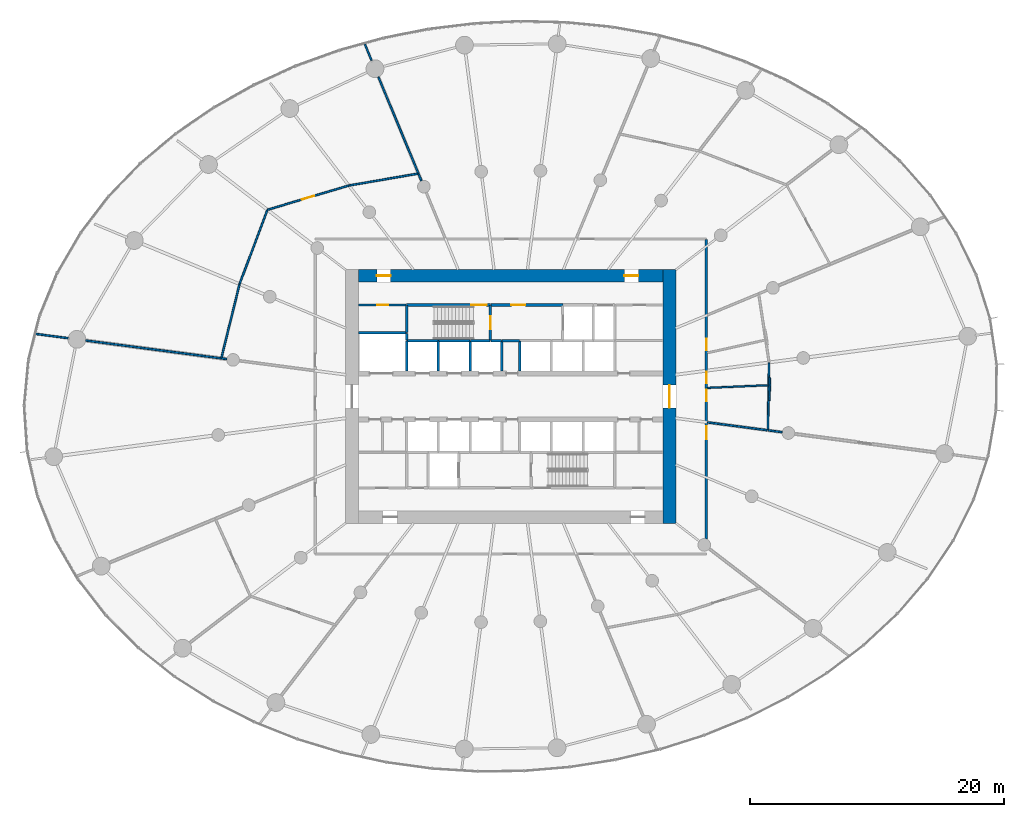
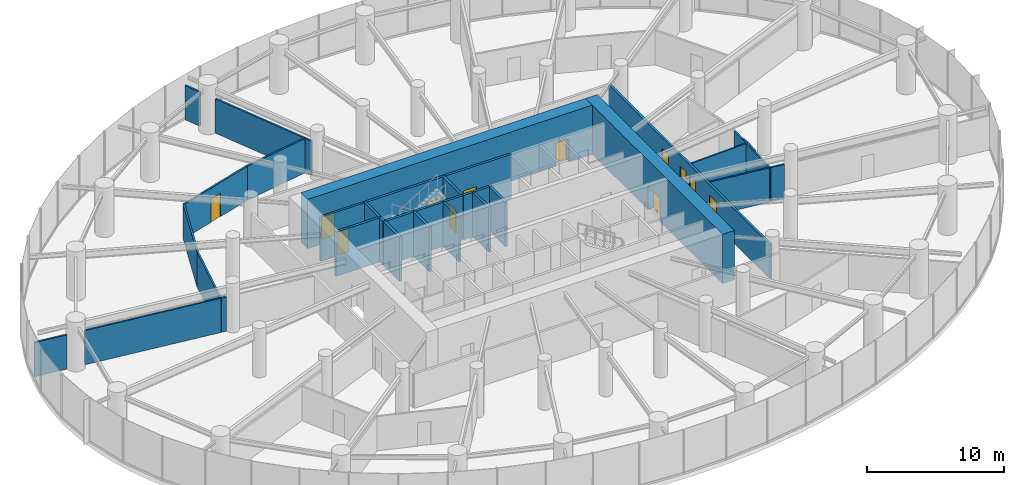
# One storey, part 14 of 19: 36 walls, 12 doors, 12 openings.
"""IFC4 building model written with IfcOpenShell, lengths in metres."""

from ifc_helpers import new_model, si_unit, direction, frame, frame_2d, origin, place, context, subcontext, project, spatial, rectangle, extrude, source, transform, mapped, material, layer, layer_set, type_object, element, fill, save


model = new_model("IFC4")

# Units and contexts
model_context = context("Model", 3, precision=1e-05, world=origin(), true_north=direction((0.0, 1.0)))
body_context = subcontext(model_context, "Body", "Model", "MODEL_VIEW")
ifc_project = project(units=[si_unit("LENGTHUNIT", "METRE"), si_unit("AREAUNIT", "SQUARE_METRE"), si_unit("VOLUMEUNIT", "CUBIC_METRE"), si_unit("PLANEANGLEUNIT", "RADIAN"), si_unit("MASSUNIT", "GRAM", prefix="KILO")], contexts=[model_context])

# Site, building, storey
site_placement = place(None, origin())
site = spatial("IfcSite", under=ifc_project, at=site_placement, CompositionType="ELEMENT")
building_placement = place(site_placement, origin())
building = spatial("IfcBuilding", under=site, at=building_placement, Name="Spindrift Exchange Tower", CompositionType="ELEMENT")
storey_placement = place(building_placement, frame((0.0, 0.0, 31.39990234375)))
storey = spatial("IfcBuildingStorey", under=building, at=storey_placement, Name="L07", CompositionType="ELEMENT", Elevation=31.39990234375)

# Wall, opening, door
ifc_material_1 = material(Name="Concrete 80 MPa", Category="concrete")
ifc_layer_1 = layer(ifc_material_1, 1.0)
ifc_layer_set_1 = layer_set([ifc_layer_1], Name="RC Core Wall 1000 Concrete 80 MPa")
wall_type_1 = type_object("IfcWallType", Name="RC Core Wall 1000 Concrete 80 MPa", PredefinedType="SHEAR", material=ifc_layer_set_1)
wall_1_placement = place(storey_placement, frame((64.5, 38.0, 0.0), z_axis=(0.0, 0.0, 1.0), x_axis=(0.0, 1.0, 0.0)))
wall_1 = element("IfcWall", 1, at=wall_1_placement, inside=storey, type_object=wall_type_1, Name="Core wall E L07", PredefinedType="SHEAR", context=body_context, shape_type="SweptSolid", body=[
    extrude(rectangle(XDim=20.0, YDim=1.0, at=frame_2d((10.0, 0.0))), origin(), (0.0, 0.0, 1.0), 4.400146484375),
])
opening_1_placement = place(wall_1_placement, frame((9.10009765625, 0.0, 0.0)))
opening_1 = element("IfcOpeningElement", 2, at=opening_1_placement, cuts=wall_1, Name="Opening L07-D2", PredefinedType="OPENING", context=body_context, shape_type="SweptSolid", body=[
    extrude(rectangle(XDim=1.800048828125, YDim=2.10009765625, at=frame_2d((0.89990234375, 1.050048828125))), frame((0.0, 0.510009765625, 0.0), z_axis=(0.0, -1.0, 0.0), x_axis=(1.0, 0.0, 0.0)), (0.0, 0.0, 1.0), 1.02001953125),
])
ifc_material_2 = material(Name="Timber-core fire door", Category="wood")
door_type_1 = type_object("IfcDoorType", Name="DR-LOBBY-1800", OperationType="NOTDEFINED", PredefinedType="DOOR", material=ifc_material_2)
shared_shape_1 = source(origin(), body_context, "Body", "SweptSolid", [
    extrude(rectangle(XDim=1.800048828125, YDim=2.10009765625, at=frame_2d((0.89990234375, 1.050048828125))), frame((0.0, 0.02490234375, 0.0), z_axis=(0.0, -1.0, 0.0), x_axis=(1.0, 0.0, 0.0)), (0.0, 0.0, 1.0), 0.050048828125),
])
door_1_placement = place(opening_1_placement, origin())
door_1 = element("IfcDoor", 3, at=door_1_placement, inside=storey, type_object=door_type_1, Name="L07 Lobby door 2", OperationType="SINGLE_SWING_RIGHT", OverallHeight=2.10009765625, OverallWidth=1.800048828125, PredefinedType="DOOR", context=body_context, shape_type="MappedRepresentation", body=[
    mapped(shared_shape_1, transform((0.0, 0.0, 0.0), scale=1.0)),
])
fill(opening_1, door_1)

# Wall, openings, doors
wall_2_placement = place(storey_placement, frame((64.0, 57.5, 0.0), z_axis=(0.0, 0.0, 1.0), x_axis=(-1.0, 0.0, 0.0)))
wall_2 = element("IfcWall", 4, at=wall_2_placement, inside=storey, type_object=wall_type_1, Name="Core wall N L07", PredefinedType="SHEAR", context=body_context, shape_type="SweptSolid", body=[
    extrude(rectangle(XDim=24.0, YDim=1.0, at=frame_2d((12.0, 0.0))), origin(), (0.0, 0.0, 1.0), 4.400146484375),
])
opening_2_placement = place(wall_2_placement, frame((21.449951171875, 0.0, 0.0)))
opening_2 = element("IfcOpeningElement", 5, at=opening_2_placement, cuts=wall_2, Name="Opening L07-D20", PredefinedType="OPENING", context=body_context, shape_type="SweptSolid", body=[
    extrude(rectangle(XDim=1.10009765625, YDim=2.10009765625, at=frame_2d((0.550048828125, 1.050048828125))), frame((0.0, 0.510009765625, 0.0), z_axis=(0.0, -1.0, 0.0), x_axis=(1.0, 0.0, 0.0)), (0.0, 0.0, 1.0), 1.02001953125),
])
opening_3_placement = place(wall_2_placement, frame((1.949951171875, 0.0, 0.0)))
opening_3 = element("IfcOpeningElement", 6, at=opening_3_placement, cuts=wall_2, Name="Opening L07-D21", PredefinedType="OPENING", context=body_context, shape_type="SweptSolid", body=[
    extrude(rectangle(XDim=1.10009765625, YDim=2.10009765625, at=frame_2d((0.550048828125, 1.050048828125))), frame((0.0, 0.510009765625, 0.0), z_axis=(0.0, -1.0, 0.0), x_axis=(1.0, 0.0, 0.0)), (0.0, 0.0, 1.0), 1.02001953125),
])
ifc_material_3 = material(Name="Steel fire door", Category="steel")
door_type_2 = type_object("IfcDoorType", Name="DR-STAIR-1100", OperationType="NOTDEFINED", PredefinedType="DOOR", material=ifc_material_3)
shared_shape_2 = source(origin(), body_context, "Body", "SweptSolid", [
    extrude(rectangle(XDim=1.10009765625, YDim=2.10009765625, at=frame_2d((0.550048828125, 1.050048828125))), frame((0.0, 0.02490234375, 0.0), z_axis=(0.0, -1.0, 0.0), x_axis=(1.0, 0.0, 0.0)), (0.0, 0.0, 1.0), 0.050048828125),
])
door_2_placement = place(opening_2_placement, origin())
door_2 = element("IfcDoor", 7, at=door_2_placement, inside=storey, type_object=door_type_2, Name="L07 Stair door 20", OperationType="SINGLE_SWING_RIGHT", OverallHeight=2.10009765625, OverallWidth=1.10009765625, PredefinedType="DOOR", context=body_context, shape_type="MappedRepresentation", body=[
    mapped(shared_shape_2, transform((0.0, 0.0, 0.0), scale=1.0)),
])
fill(opening_2, door_2)
door_3_placement = place(opening_3_placement, origin())
door_3 = element("IfcDoor", 8, at=door_3_placement, inside=storey, type_object=door_type_2, Name="L07 Stair door 21", OperationType="SINGLE_SWING_LEFT", OverallHeight=2.10009765625, OverallWidth=1.10009765625, PredefinedType="DOOR", context=body_context, shape_type="MappedRepresentation", body=[
    mapped(shared_shape_2, transform((0.0, 0.0, 0.0), scale=1.0)),
])
fill(opening_3, door_3)

# Wall, opening, door
ifc_material_4 = material(Name="Fire-rated plasterboard partition", Category="gypsum")
ifc_layer_2 = layer(ifc_material_4, 0.179931640625)
ifc_layer_set_2 = layer_set([ifc_layer_2], Name="W-CORR-180")
wall_type_2 = type_object("IfcWallType", Name="W-CORR-180", PredefinedType="PARTITIONING", material=ifc_layer_set_2)
wall_3_placement = place(storey_placement, frame((43.77001953125, 55.199951171875, 0.0), z_axis=(0.0, 0.0, 1.0), x_axis=(-1.0, 0.0, 0.0)))
wall_3 = element("IfcWall", 9, at=wall_3_placement, inside=storey, type_object=wall_type_2, Name="L07 Partition wall 62", PredefinedType="PARTITIONING", context=body_context, shape_type="SweptSolid", body=[
    extrude(rectangle(XDim=3.75, YDim=0.179931640625, at=frame_2d((1.875, 0.0))), origin(), (0.0, 0.0, 1.0), 3.9501953125),
])
opening_4_placement = place(wall_3_placement, frame((1.39990234375, 0.0, 0.0)))
opening_4 = element("IfcOpeningElement", 10, at=opening_4_placement, cuts=wall_3, Name="Opening L07-D43", PredefinedType="OPENING", context=body_context, shape_type="SweptSolid", body=[
    extrude(rectangle(XDim=0.89990234375, YDim=2.10009765625, at=frame_2d((0.449951171875, 1.050048828125))), frame((0.0, 0.099853515625, 0.0), z_axis=(0.0, -1.0, 0.0), x_axis=(1.0, 0.0, 0.0)), (0.0, 0.0, 1.0), 0.199951171875),
])
ifc_material_5 = material(Name="Steel access door", Category="steel")
door_type_3 = type_object("IfcDoorType", Name="DR-RISER-900", OperationType="NOTDEFINED", PredefinedType="DOOR", material=ifc_material_5)
shared_shape_3 = source(origin(), body_context, "Body", "SweptSolid", [
    extrude(rectangle(XDim=0.89990234375, YDim=2.10009765625, at=frame_2d((0.449951171875, 1.050048828125))), frame((0.0, 0.02490234375, 0.0), z_axis=(0.0, -1.0, 0.0), x_axis=(1.0, 0.0, 0.0)), (0.0, 0.0, 1.0), 0.050048828125),
])
door_4_placement = place(opening_4_placement, origin())
door_4 = element("IfcDoor", 11, at=door_4_placement, inside=storey, type_object=door_type_3, Name="L07 Riser door 43", OperationType="SINGLE_SWING_LEFT", OverallHeight=2.10009765625, OverallWidth=0.89990234375, PredefinedType="DOOR", context=body_context, shape_type="MappedRepresentation", body=[
    mapped(shared_shape_3, transform((0.0, 0.0, 0.0), scale=1.0)),
])
fill(opening_4, door_4)

# Walls
ifc_layer_3 = layer(ifc_material_4, 0.139892578125)
ifc_layer_set_3 = layer_set([ifc_layer_3], Name="W-PART-140")
wall_type_3 = type_object("IfcWallType", Name="W-PART-140", PredefinedType="PARTITIONING", material=ifc_layer_set_3)
wall_4_placement = place(storey_placement, frame((29.2109375, 51.000244140625, 0.0), z_axis=(0.0, 0.0, 1.0), x_axis=(-0.991444412939, 0.130529598373, 0.0)))
element("IfcWall", 12, at=wall_4_placement, inside=storey, type_object=wall_type_3, Name="L07 Partition wall 66", PredefinedType="PARTITIONING", context=body_context, shape_type="SweptSolid", body=[
    extrude(rectangle(XDim=10.765869140625, YDim=0.139892578125, at=frame_2d((5.3828125, 0.0))), origin(), (0.0, 0.0, 1.0), 3.050048828125),
])
wall_5_placement = place(storey_placement, frame((44.73095703125, 65.549072265625, 0.0), z_axis=(0.0, 0.0, 1.0), x_axis=(-0.382679959388, 0.923880971058, 0.0)))
element("IfcWall", 13, at=wall_5_placement, inside=storey, type_object=wall_type_3, Name="L07 Partition wall 68", PredefinedType="PARTITIONING", context=body_context, shape_type="SweptSolid", body=[
    extrude(rectangle(XDim=8.235107421875, YDim=0.139892578125, at=frame_2d((4.11767578125, 0.0))), origin(), (0.0, 0.0, 1.0), 3.050048828125),
])
wall_6_placement = place(storey_placement, frame((72.243896484375, 45.334716796875, 0.0), z_axis=(0.0, 0.0, 1.0), x_axis=(0.018055228484, 0.999836991076, 0.0)))
element("IfcWall", 14, at=wall_6_placement, inside=storey, type_object=wall_type_3, Name="L07 Partition wall 87", PredefinedType="PARTITIONING", context=body_context, shape_type="SweptSolid", body=[
    extrude(rectangle(XDim=5.314208984375, YDim=0.139892578125, at=frame_2d((2.6572265625, 0.0))), origin(), (0.0, 0.0, 1.0), 3.050048828125),
])
wall_7_placement = place(storey_placement, frame((67.489990234375, 45.960693359375, 0.0), z_axis=(0.0, 0.0, 1.0), x_axis=(0.991444091106, -0.130532042851, 0.0)))
element("IfcWall", 15, at=wall_7_placement, inside=storey, type_object=wall_type_3, Name="L07 Partition wall 91", PredefinedType="PARTITIONING", context=body_context, shape_type="SweptSolid", body=[
    extrude(rectangle(XDim=4.724609375, YDim=0.139892578125, at=frame_2d((2.3623046875, 0.0))), origin(), (0.0, 0.0, 1.0), 3.050048828125),
])
wall_8_placement = place(storey_placement, frame((17.140625, 52.58935546875, 0.0), z_axis=(0.0, 0.0, 1.0), x_axis=(-0.991441410766, 0.130552399509, 0.0)))
element("IfcWall", 16, at=wall_8_placement, inside=storey, type_object=wall_type_3, Name="L07 Partition wall 104", PredefinedType="PARTITIONING", context=body_context, shape_type="SweptSolid", body=[
    extrude(rectangle(XDim=2.58056640625, YDim=0.139892578125, at=frame_2d((1.290283203125, 0.0))), origin(), (0.0, 0.0, 1.0), 3.050048828125),
])
wall_9_placement = place(storey_placement, frame((41.039794921875, 74.4599609375, 0.0), z_axis=(0.0, 0.0, 1.0), x_axis=(-0.382579541027, 0.923922558869, 0.0)))
element("IfcWall", 17, at=wall_9_placement, inside=storey, type_object=wall_type_3, Name="L07 Partition wall 115", PredefinedType="PARTITIONING", context=body_context, shape_type="SweptSolid", body=[
    extrude(rectangle(XDim=1.388671875, YDim=0.139892578125, at=frame_2d((0.6943359375, 0.0))), origin(), (0.0, 0.0, 1.0), 3.050048828125),
])
wall_10_placement = place(storey_placement, frame((72.273681640625, 45.330810546875, 0.0), z_axis=(0.0, 0.0, 1.0), x_axis=(0.991457320466, -0.130431521092, 0.0)))
element("IfcWall", 18, at=wall_10_placement, inside=storey, type_object=wall_type_3, Name="L07 Partition wall 123", PredefinedType="PARTITIONING", context=body_context, shape_type="SweptSolid", body=[
    extrude(rectangle(XDim=1.0986328125, YDim=0.139892578125, at=frame_2d((0.54931640625, 0.0))), origin(), (0.0, 0.0, 1.0), 3.050048828125),
])

# Wall, opening, door
ifc_layer_4 = layer(ifc_material_4, 0.139892578125)
ifc_layer_set_4 = layer_set([ifc_layer_4], Name="W-PLANT-140")
wall_type_4 = type_object("IfcWallType", Name="W-PLANT-140", PredefinedType="PARTITIONING", material=ifc_layer_set_4)
wall_11_placement = place(storey_placement, frame((32.8447265625, 62.698486328125, 0.0), z_axis=(0.0, 0.0, 1.0), x_axis=(0.958354022352, 0.28558285635, 0.0)))
wall_11 = element("IfcWall", 19, at=wall_11_placement, inside=storey, type_object=wall_type_4, Name="L07 Partition wall 77", PredefinedType="PARTITIONING", context=body_context, shape_type="SweptSolid", body=[
    extrude(rectangle(XDim=6.689453125, YDim=0.139892578125, at=frame_2d((3.3447265625, 0.0))), origin(), (0.0, 0.0, 1.0), 3.050048828125),
])
opening_5_placement = place(wall_11_placement, frame((2.839599609375, 0.0, 0.0)))
opening_5 = element("IfcOpeningElement", 20, at=opening_5_placement, cuts=wall_11, Name="Opening L07-D34", PredefinedType="OPENING", context=body_context, shape_type="SweptSolid", body=[
    extrude(rectangle(XDim=1.0, YDim=2.10009765625, at=frame_2d((0.5, 1.050048828125))), frame((0.0, 0.079833984375, 0.0), z_axis=(0.0, -1.0, 0.0), x_axis=(1.0, 0.0, 0.0)), (0.0, 0.0, 1.0), 0.159912109375),
])
door_type_4 = type_object("IfcDoorType", Name="DR-ROOM-1000", OperationType="NOTDEFINED", PredefinedType="DOOR", material=ifc_material_2)
shared_shape_4 = source(origin(), body_context, "Body", "SweptSolid", [
    extrude(rectangle(XDim=1.0, YDim=2.10009765625, at=frame_2d((0.5, 1.050048828125))), frame((0.0, 0.02490234375, 0.0), z_axis=(0.0, -1.0, 0.0), x_axis=(1.0, 0.0, 0.0)), (0.0, 0.0, 1.0), 0.050048828125),
])
door_5_placement = place(opening_5_placement, origin())
door_5 = element("IfcDoor", 21, at=door_5_placement, inside=storey, type_object=door_type_4, Name="L07 Door 34", OperationType="SINGLE_SWING_RIGHT", OverallHeight=2.10009765625, OverallWidth=1.0, PredefinedType="DOOR", context=body_context, shape_type="MappedRepresentation", body=[
    mapped(shared_shape_4, transform((0.0, 0.0, 0.0), scale=1.0)),
])
fill(opening_5, door_5)

# Walls
wall_12_placement = place(storey_placement, frame((32.834228515625, 62.67041015625, 0.0), z_axis=(0.0, 0.0, 1.0), x_axis=(-0.351923028653, -0.936028942877, 0.0)))
element("IfcWall", 22, at=wall_12_placement, inside=storey, type_object=wall_type_4, Name="L07 Partition wall 79", PredefinedType="PARTITIONING", context=body_context, shape_type="SweptSolid", body=[
    extrude(rectangle(XDim=6.222900390625, YDim=0.139892578125, at=frame_2d((3.111328125, 0.0))), origin(), (0.0, 0.0, 1.0), 3.050048828125),
])
wall_13_placement = place(storey_placement, frame((30.63720703125, 56.816650390625, 0.0), z_axis=(0.0, 0.0, 1.0), x_axis=(-0.238166110231, -0.97122443541, 0.0)))
element("IfcWall", 23, at=wall_13_placement, inside=storey, type_object=wall_type_4, Name="L07 Partition wall 81", PredefinedType="PARTITIONING", context=body_context, shape_type="SweptSolid", body=[
    extrude(rectangle(XDim=5.958740234375, YDim=0.139892578125, at=frame_2d((2.9794921875, 0.0))), origin(), (0.0, 0.0, 1.0), 3.050048828125),
])
wall_14_placement = place(storey_placement, frame((44.66015625, 65.536865234375, 0.0), z_axis=(0.0, 0.0, 1.0), x_axis=(-0.985578769271, -0.169217285058, 0.0)))
element("IfcWall", 24, at=wall_14_placement, inside=storey, type_object=wall_type_4, Name="L07 Partition wall 85", PredefinedType="PARTITIONING", context=body_context, shape_type="SweptSolid", body=[
    extrude(rectangle(XDim=5.45361328125, YDim=0.139892578125, at=frame_2d((2.726806640625, 0.0))), origin(), (0.0, 0.0, 1.0), 3.050048828125),
])
wall_15_placement = place(storey_placement, frame((44.965087890625, 64.984130859375, 0.0), z_axis=(0.0, 0.0, 1.0), x_axis=(-0.382945109993, 0.923771098667, 0.0)))
element("IfcWall", 25, at=wall_15_placement, inside=storey, type_object=wall_type_4, Name="L07 Partition wall 125", PredefinedType="PARTITIONING", context=body_context, shape_type="SweptSolid", body=[
    extrude(rectangle(XDim=0.58154296875, YDim=0.139892578125, at=frame_2d((0.290771484375, 0.0))), origin(), (0.0, 0.0, 1.0), 3.050048828125),
])
wall_16_placement = place(storey_placement, frame((29.63671875, 50.944091796875, 0.0), z_axis=(0.0, 0.0, 1.0), x_axis=(-0.991418913515, 0.130723134622, 0.0)))
element("IfcWall", 26, at=wall_16_placement, inside=storey, type_object=wall_type_4, Name="L07 Partition wall 126", PredefinedType="PARTITIONING", context=body_context, shape_type="SweptSolid", body=[
    extrude(rectangle(XDim=0.399658203125, YDim=0.139892578125, at=frame_2d((0.19970703125, 0.0))), origin(), (0.0, 0.0, 1.0), 3.050048828125),
])

# Wall, openings, doors
ifc_layer_5 = layer(ifc_material_4, 0.179931640625)
ifc_layer_set_5 = layer_set([ifc_layer_5], Name="W-PLANT-180")
wall_type_5 = type_object("IfcWallType", Name="W-PLANT-180", PredefinedType="PARTITIONING", material=ifc_layer_set_5)
wall_17_placement = place(storey_placement, frame((67.39990234375, 60.3701171875, 0.0), z_axis=(0.0, 0.0, 1.0), x_axis=(0.0, -1.0, 0.0)))
wall_17 = element("IfcWall", 27, at=wall_17_placement, inside=storey, type_object=wall_type_5, Name="L07 Partition wall 59", PredefinedType="PARTITIONING", context=body_context, shape_type="SweptSolid", body=[
    extrude(rectangle(XDim=23.58251953125, YDim=0.179931640625, at=frame_2d((11.791259765625, 0.0))), origin(), (0.0, 0.0, 1.0), 3.050048828125),
])
opening_6_placement = place(wall_17_placement, frame((11.83251953125, 0.0, 0.0)))
opening_6 = element("IfcOpeningElement", 28, at=opening_6_placement, cuts=wall_17, Name="Opening L07-D24", PredefinedType="OPENING", context=body_context, shape_type="SweptSolid", body=[
    extrude(rectangle(XDim=0.89990234375, YDim=2.10009765625, at=frame_2d((0.449951171875, 1.050048828125))), frame((0.0, 0.099853515625, 0.0), z_axis=(0.0, -1.0, 0.0), x_axis=(1.0, 0.0, 0.0)), (0.0, 0.0, 1.0), 0.199951171875),
])
opening_7_placement = place(wall_17_placement, frame((10.4326171875, 0.0, 0.0)))
opening_7 = element("IfcOpeningElement", 29, at=opening_7_placement, cuts=wall_17, Name="Opening L07-D25", PredefinedType="OPENING", context=body_context, shape_type="SweptSolid", body=[
    extrude(rectangle(XDim=0.89990234375, YDim=2.10009765625, at=frame_2d((0.449951171875, 1.050048828125))), frame((0.0, 0.099853515625, 0.0), z_axis=(0.0, -1.0, 0.0), x_axis=(1.0, 0.0, 0.0)), (0.0, 0.0, 1.0), 0.199951171875),
])
opening_8_placement = place(wall_17_placement, frame((7.83251953125, 0.0, 0.0)))
opening_8 = element("IfcOpeningElement", 30, at=opening_8_placement, cuts=wall_17, Name="Opening L07-D26", PredefinedType="OPENING", context=body_context, shape_type="SweptSolid", body=[
    extrude(rectangle(XDim=0.89990234375, YDim=2.10009765625, at=frame_2d((0.449951171875, 1.050048828125))), frame((0.0, 0.099853515625, 0.0), z_axis=(0.0, -1.0, 0.0), x_axis=(1.0, 0.0, 0.0)), (0.0, 0.0, 1.0), 0.199951171875),
])
opening_9_placement = place(wall_17_placement, frame((14.732421875, 0.0, 0.0)))
opening_9 = element("IfcOpeningElement", 31, at=opening_9_placement, cuts=wall_17, Name="Opening L07-D42", PredefinedType="OPENING", context=body_context, shape_type="SweptSolid", body=[
    extrude(rectangle(XDim=1.0, YDim=2.10009765625, at=frame_2d((0.5, 1.050048828125))), frame((0.0, 0.099853515625, 0.0), z_axis=(0.0, -1.0, 0.0), x_axis=(1.0, 0.0, 0.0)), (0.0, 0.0, 1.0), 0.199951171875),
])
door_6_placement = place(opening_9_placement, origin())
door_6 = element("IfcDoor", 32, at=door_6_placement, inside=storey, type_object=door_type_4, Name="L07 Door 42", OperationType="SINGLE_SWING_RIGHT", OverallHeight=2.10009765625, OverallWidth=1.0, PredefinedType="DOOR", context=body_context, shape_type="MappedRepresentation", body=[
    mapped(shared_shape_4, transform((0.0, 0.0, 0.0), scale=1.0)),
])
fill(opening_9, door_6)
ifc_material_6 = material(Name="Laminate washroom door", Category="wood")
door_type_5 = type_object("IfcDoorType", Name="DR-WC-900", OperationType="NOTDEFINED", PredefinedType="DOOR", material=ifc_material_6)
shared_shape_5 = source(origin(), body_context, "Body", "SweptSolid", [
    extrude(rectangle(XDim=0.89990234375, YDim=2.10009765625, at=frame_2d((0.449951171875, 1.050048828125))), frame((0.0, 0.02490234375, 0.0), z_axis=(0.0, -1.0, 0.0), x_axis=(1.0, 0.0, 0.0)), (0.0, 0.0, 1.0), 0.050048828125),
])
door_7_placement = place(opening_6_placement, origin())
door_7 = element("IfcDoor", 33, at=door_7_placement, inside=storey, type_object=door_type_5, Name="L07 WC door 24", OperationType="SINGLE_SWING_RIGHT", OverallHeight=2.10009765625, OverallWidth=0.89990234375, PredefinedType="DOOR", context=body_context, shape_type="MappedRepresentation", body=[
    mapped(shared_shape_5, transform((0.0, 0.0, 0.0), scale=1.0)),
])
fill(opening_6, door_7)
door_8_placement = place(opening_7_placement, origin())
door_8 = element("IfcDoor", 34, at=door_8_placement, inside=storey, type_object=door_type_5, Name="L07 WC door 25", OperationType="SINGLE_SWING_LEFT", OverallHeight=2.10009765625, OverallWidth=0.89990234375, PredefinedType="DOOR", context=body_context, shape_type="MappedRepresentation", body=[
    mapped(shared_shape_5, transform((0.0, 0.0, 0.0), scale=1.0)),
])
fill(opening_7, door_8)
door_9_placement = place(opening_8_placement, origin())
door_9 = element("IfcDoor", 35, at=door_9_placement, inside=storey, type_object=door_type_5, Name="L07 WC door 26", OperationType="SINGLE_SWING_RIGHT", OverallHeight=2.10009765625, OverallWidth=0.89990234375, PredefinedType="DOOR", context=body_context, shape_type="MappedRepresentation", body=[
    mapped(shared_shape_5, transform((0.0, 0.0, 0.0), scale=1.0)),
])
fill(opening_8, door_9)

# Walls
ifc_material_7 = material(Name="Concrete 40 MPa", Category="concrete")
ifc_layer_6 = layer(ifc_material_7, 0.199951171875)
ifc_layer_set_6 = layer_set([ifc_layer_6], Name="W-SHAFT-200")
wall_type_6 = type_object("IfcWallType", Name="W-SHAFT-200", PredefinedType="SOLIDWALL", material=ifc_layer_set_6)
wall_18_placement = place(storey_placement, frame((51.300048828125, 50.010009765625, 0.0), z_axis=(0.0, 0.0, 1.0), x_axis=(0.0, 1.0, 0.0)))
element("IfcWall", 36, at=wall_18_placement, inside=storey, type_object=wall_type_6, Name="L07 Shaft wall 30", PredefinedType="SOLIDWALL", context=body_context, shape_type="SweptSolid", body=[
    extrude(rectangle(XDim=2.389892578125, YDim=0.199951171875, at=frame_2d((1.19482421875, 0.0))), origin(), (0.0, 0.0, 1.0), 3.9501953125),
])
wall_19_placement = place(storey_placement, frame((52.699951171875, 52.3701171875, 0.0), z_axis=(0.0, 0.0, 1.0), x_axis=(0.0, -1.0, 0.0)))
element("IfcWall", 37, at=wall_19_placement, inside=storey, type_object=wall_type_6, Name="L07 Shaft wall 32", PredefinedType="SOLIDWALL", context=body_context, shape_type="SweptSolid", body=[
    extrude(rectangle(XDim=2.360107421875, YDim=0.199951171875, at=frame_2d((1.18017578125, 0.0))), origin(), (0.0, 0.0, 1.0), 3.9501953125),
])
wall_20_placement = place(storey_placement, frame((51.330078125, 52.39990234375, 0.0), z_axis=(0.0, 0.0, 1.0), x_axis=(1.0, 0.0, 0.0)))
element("IfcWall", 38, at=wall_20_placement, inside=storey, type_object=wall_type_6, Name="L07 Shaft wall 49", PredefinedType="SOLIDWALL", context=body_context, shape_type="SweptSolid", body=[
    extrude(rectangle(XDim=1.33984375, YDim=0.199951171875, at=frame_2d((0.669921875, 0.0))), origin(), (0.0, 0.0, 1.0), 3.9501953125),
])

# Wall, opening, door
ifc_layer_7 = layer(ifc_material_7, 0.199951171875)
ifc_layer_set_7 = layer_set([ifc_layer_7], Name="W-SHAFT-200-LB")
wall_type_7 = type_object("IfcWallType", Name="W-SHAFT-200-LB", PredefinedType="SOLIDWALL", material=ifc_layer_set_7)
wall_21_placement = place(storey_placement, frame((50.39990234375, 55.199951171875, 0.0), z_axis=(0.0, 0.0, 1.0), x_axis=(-1.0, 0.0, 0.0)))
wall_21 = element("IfcWall", 39, at=wall_21_placement, inside=storey, type_object=wall_type_7, Name="L07 Shaft wall 1", PredefinedType="SOLIDWALL", context=body_context, shape_type="SweptSolid", body=[
    extrude(rectangle(XDim=6.599853515625, YDim=0.199951171875, at=frame_2d((3.2998046875, 0.0))), origin(), (0.0, 0.0, 1.0), 3.9501953125),
])
opening_10_placement = place(wall_21_placement, frame((0.300048828125, 0.0, 0.0)))
opening_10 = element("IfcOpeningElement", 40, at=opening_10_placement, cuts=wall_21, Name="Opening L07-D13", PredefinedType="OPENING", context=body_context, shape_type="SweptSolid", body=[
    extrude(rectangle(XDim=1.199951171875, YDim=2.10009765625, at=frame_2d((0.60009765625, 1.050048828125))), frame((0.0, 0.10986328125, 0.0), z_axis=(0.0, -1.0, 0.0), x_axis=(1.0, 0.0, 0.0)), (0.0, 0.0, 1.0), 0.219970703125),
])
door_type_6 = type_object("IfcDoorType", Name="DR-STAIR-1200", OperationType="NOTDEFINED", PredefinedType="DOOR", material=ifc_material_3)
shared_shape_6 = source(origin(), body_context, "Body", "SweptSolid", [
    extrude(rectangle(XDim=1.199951171875, YDim=2.10009765625, at=frame_2d((0.60009765625, 1.050048828125))), frame((0.0, 0.02490234375, 0.0), z_axis=(0.0, -1.0, 0.0), x_axis=(1.0, 0.0, 0.0)), (0.0, 0.0, 1.0), 0.050048828125),
])
door_10_placement = place(opening_10_placement, origin())
door_10 = element("IfcDoor", 41, at=door_10_placement, inside=storey, type_object=door_type_6, Name="L07 Stair door 13", OperationType="SINGLE_SWING_LEFT", OverallHeight=2.10009765625, OverallWidth=1.199951171875, PredefinedType="DOOR", context=body_context, shape_type="MappedRepresentation", body=[
    mapped(shared_shape_6, transform((0.0, 0.0, 0.0), scale=1.0)),
])
fill(opening_10, door_10)

wall_22_placement = place(storey_placement, frame((56.10009765625, 55.199951171875, 0.0), z_axis=(0.0, 0.0, 1.0), x_axis=(-1.0, 0.0, 0.0)))
wall_22 = element("IfcWall", 42, at=wall_22_placement, inside=storey, type_object=wall_type_7, Name="L07 Shaft wall 4", PredefinedType="SOLIDWALL", context=body_context, shape_type="SweptSolid", body=[
    extrude(rectangle(XDim=5.670166015625, YDim=0.199951171875, at=frame_2d((2.8349609375, 0.0))), origin(), (0.0, 0.0, 1.0), 3.9501953125),
])
opening_11_placement = place(wall_22_placement, frame((2.949951171875, 0.0, 0.0)))
opening_11 = element("IfcOpeningElement", 43, at=opening_11_placement, cuts=wall_22, Name="Opening L07-D15", PredefinedType="OPENING", context=body_context, shape_type="SweptSolid", body=[
    extrude(rectangle(XDim=1.10009765625, YDim=2.10009765625, at=frame_2d((0.550048828125, 1.050048828125))), frame((0.0, 0.10986328125, 0.0), z_axis=(0.0, -1.0, 0.0), x_axis=(1.0, 0.0, 0.0)), (0.0, 0.0, 1.0), 0.219970703125),
])
door_type_7 = type_object("IfcDoorType", Name="DR-LOBBY-1100", OperationType="NOTDEFINED", PredefinedType="DOOR", material=ifc_material_2)
shared_shape_7 = source(origin(), body_context, "Body", "SweptSolid", [
    extrude(rectangle(XDim=1.10009765625, YDim=2.10009765625, at=frame_2d((0.550048828125, 1.050048828125))), frame((0.0, 0.02490234375, 0.0), z_axis=(0.0, -1.0, 0.0), x_axis=(1.0, 0.0, 0.0)), (0.0, 0.0, 1.0), 0.050048828125),
])
door_11_placement = place(opening_11_placement, origin())
door_11 = element("IfcDoor", 44, at=door_11_placement, inside=storey, type_object=door_type_7, Name="L07 Lobby door 15", OperationType="SINGLE_SWING_LEFT", OverallHeight=2.10009765625, OverallWidth=1.10009765625, PredefinedType="DOOR", context=body_context, shape_type="MappedRepresentation", body=[
    mapped(shared_shape_7, transform((0.0, 0.0, 0.0), scale=1.0)),
])
fill(opening_11, door_11)

# Wall
wall_23_placement = place(storey_placement, frame((43.800048828125, 53.0, 0.0), z_axis=(0.0, 0.0, 1.0), x_axis=(-1.0, 0.0, 0.0)))
element("IfcWall", 45, at=wall_23_placement, inside=storey, type_object=wall_type_7, Name="L07 Shaft wall 5", PredefinedType="SOLIDWALL", context=body_context, shape_type="SweptSolid", body=[
    extrude(rectangle(XDim=3.780029296875, YDim=0.199951171875, at=frame_2d((1.89013671875, 0.0))), origin(), (0.0, 0.0, 1.0), 3.9501953125),
])

# Wall, opening, door
wall_24_placement = place(storey_placement, frame((50.39990234375, 52.39990234375, 0.0), z_axis=(0.0, 0.0, 1.0), x_axis=(0.0, 1.0, 0.0)))
wall_24 = element("IfcWall", 46, at=wall_24_placement, inside=storey, type_object=wall_type_7, Name="L07 Shaft wall 9", PredefinedType="SOLIDWALL", context=body_context, shape_type="SweptSolid", body=[
    extrude(rectangle(XDim=2.77001953125, YDim=0.199951171875, at=frame_2d((1.385009765625, 0.0))), origin(), (0.0, 0.0, 1.0), 3.9501953125),
])
opening_12_placement = place(wall_24_placement, frame((0.89990234375, 0.0, 0.0)))
opening_12 = element("IfcOpeningElement", 47, at=opening_12_placement, cuts=wall_24, Name="Opening L07-D14", PredefinedType="OPENING", context=body_context, shape_type="SweptSolid", body=[
    extrude(rectangle(XDim=1.0, YDim=2.10009765625, at=frame_2d((0.5, 1.050048828125))), frame((0.0, 0.10986328125, 0.0), z_axis=(0.0, -1.0, 0.0), x_axis=(1.0, 0.0, 0.0)), (0.0, 0.0, 1.0), 0.219970703125),
])
door_type_8 = type_object("IfcDoorType", Name="DR-STAIR-1000", OperationType="NOTDEFINED", PredefinedType="DOOR", material=ifc_material_3)
shared_shape_8 = source(origin(), body_context, "Body", "SweptSolid", [
    extrude(rectangle(XDim=1.0, YDim=2.10009765625, at=frame_2d((0.5, 1.050048828125))), frame((0.0, 0.02490234375, 0.0), z_axis=(0.0, -1.0, 0.0), x_axis=(1.0, 0.0, 0.0)), (0.0, 0.0, 1.0), 0.050048828125),
])
door_12_placement = place(opening_12_placement, origin())
door_12 = element("IfcDoor", 48, at=door_12_placement, inside=storey, type_object=door_type_8, Name="L07 Stair door 14", OperationType="SINGLE_SWING_RIGHT", OverallHeight=2.10009765625, OverallWidth=1.0, PredefinedType="DOOR", context=body_context, shape_type="MappedRepresentation", body=[
    mapped(shared_shape_8, transform((0.0, 0.0, 0.0), scale=1.0)),
])
fill(opening_12, door_12)

# Walls
wall_25_placement = place(storey_placement, frame((46.300048828125, 52.39990234375, 0.0), z_axis=(0.0, 0.0, 1.0), x_axis=(-1.0, 0.0, 0.0)))
element("IfcWall", 49, at=wall_25_placement, inside=storey, type_object=wall_type_7, Name="L07 Shaft wall 15", PredefinedType="SOLIDWALL", context=body_context, shape_type="SweptSolid", body=[
    extrude(rectangle(XDim=2.5, YDim=0.199951171875, at=frame_2d((1.25, 0.0))), origin(), (0.0, 0.0, 1.0), 3.9501953125),
])
wall_26_placement = place(storey_placement, frame((48.800048828125, 52.39990234375, 0.0), z_axis=(0.0, 0.0, 1.0), x_axis=(-1.0, 0.0, 0.0)))
element("IfcWall", 50, at=wall_26_placement, inside=storey, type_object=wall_type_7, Name="L07 Shaft wall 16", PredefinedType="SOLIDWALL", context=body_context, shape_type="SweptSolid", body=[
    extrude(rectangle(XDim=2.469970703125, YDim=0.199951171875, at=frame_2d((1.23486328125, 0.0))), origin(), (0.0, 0.0, 1.0), 3.9501953125),
])
for number, where, z_axis, x_axis, name in (
    (51, (43.800048828125, 52.3701171875, 0.0), (0.0, 0.0, 1.0), (0.0, -1.0, 0.0), "L07 Shaft wall 24"),
    (52, (46.300048828125, 50.010009765625, 0.0), (0.0, 0.0, 1.0), (0.0, 1.0, 0.0), "L07 Shaft wall 26"),
    (53, (48.800048828125, 50.010009765625, 0.0), (0.0, 0.0, 1.0), (0.0, 1.0, 0.0), "L07 Shaft wall 28"),
):
    element("IfcWall", number, at=place(storey_placement, frame(where, z_axis=z_axis, x_axis=x_axis)), inside=storey, type_object=wall_type_7, Name=name, PredefinedType="SOLIDWALL", context=body_context, shape_type="SweptSolid", body=[
        extrude(rectangle(XDim=2.360107421875, YDim=0.199951171875, at=frame_2d((1.18017578125, 0.0))), origin(), (0.0, 0.0, 1.0), 3.9501953125),
    ])
wall_27_placement = place(storey_placement, frame((43.800048828125, 55.169921875, 0.0), z_axis=(0.0, 0.0, 1.0), x_axis=(0.0, -1.0, 0.0)))
element("IfcWall", 54, at=wall_27_placement, inside=storey, type_object=wall_type_7, Name="L07 Shaft wall 39", PredefinedType="SOLIDWALL", context=body_context, shape_type="SweptSolid", body=[
    extrude(rectangle(XDim=2.139892578125, YDim=0.199951171875, at=frame_2d((1.06982421875, 0.0))), origin(), (0.0, 0.0, 1.0), 3.9501953125),
])
wall_28_placement = place(storey_placement, frame((50.3701171875, 52.39990234375, 0.0), z_axis=(0.0, 0.0, 1.0), x_axis=(-1.0, 0.0, 0.0)))
element("IfcWall", 55, at=wall_28_placement, inside=storey, type_object=wall_type_7, Name="L07 Shaft wall 45", PredefinedType="SOLIDWALL", context=body_context, shape_type="SweptSolid", body=[
    extrude(rectangle(XDim=1.5400390625, YDim=0.199951171875, at=frame_2d((0.77001953125, 0.0))), origin(), (0.0, 0.0, 1.0), 3.9501953125),
])
wall_29_placement = place(storey_placement, frame((51.27001953125, 52.39990234375, 0.0), z_axis=(0.0, 0.0, 1.0), x_axis=(-1.0, 0.0, 0.0)))
element("IfcWall", 56, at=wall_29_placement, inside=storey, type_object=wall_type_7, Name="L07 Shaft wall 51", PredefinedType="SOLIDWALL", context=body_context, shape_type="SweptSolid", body=[
    extrude(rectangle(XDim=0.840087890625, YDim=0.199951171875, at=frame_2d((0.419921875, 0.0))), origin(), (0.0, 0.0, 1.0), 3.9501953125),
])
wall_30_placement = place(storey_placement, frame((43.800048828125, 52.429931640625, 0.0), z_axis=(0.0, 0.0, 1.0), x_axis=(0.0, 1.0, 0.0)))
element("IfcWall", 57, at=wall_30_placement, inside=storey, type_object=wall_type_7, Name="L07 Shaft wall 56", PredefinedType="SOLIDWALL", context=body_context, shape_type="SweptSolid", body=[
    extrude(rectangle(XDim=0.5400390625, YDim=0.199951171875, at=frame_2d((0.27001953125, 0.0))), origin(), (0.0, 0.0, 1.0), 3.9501953125),
])
ifc_layer_8 = layer(ifc_material_4, 0.1201171875)
ifc_layer_set_8 = layer_set([ifc_layer_8], Name="W-WET-120")
wall_type_8 = type_object("IfcWallType", Name="W-WET-120", PredefinedType="PARTITIONING", material=ifc_layer_set_8)
wall_31_placement = place(storey_placement, frame((67.489990234375, 48.67626953125, 0.0), z_axis=(0.0, 0.0, 1.0), x_axis=(0.999048485759, 0.043613336302, 0.0)))
element("IfcWall", 58, at=wall_31_placement, inside=storey, type_object=wall_type_8, Name="L07 Partition wall 127", PredefinedType="PARTITIONING", context=body_context, shape_type="SweptSolid", body=[
    extrude(rectangle(XDim=4.752685546875, YDim=0.1201171875, at=frame_2d((2.37646484375, 0.0))), origin(), (0.0, 0.0, 1.0), 3.050048828125),
])
wall_32_placement = place(storey_placement, frame((72.356201171875, 47.66748046875, 0.0), z_axis=(0.0, 0.0, 1.0), x_axis=(0.047820750853, 0.99885593345, 0.0)))
element("IfcWall", 59, at=wall_32_placement, inside=storey, type_object=wall_type_8, Name="L07 Partition wall 130", PredefinedType="PARTITIONING", context=body_context, shape_type="SweptSolid", body=[
    extrude(rectangle(XDim=1.225341796875, YDim=0.1201171875, at=frame_2d((0.61279296875, 0.0))), origin(), (0.0, 0.0, 1.0), 3.050048828125),
])
wall_33_placement = place(storey_placement, frame((72.413818359375, 48.92138671875, 0.0), z_axis=(0.0, 0.0, 1.0), x_axis=(-0.041717304982, 0.999129454308, 0.0)))
element("IfcWall", 60, at=wall_33_placement, inside=storey, type_object=wall_type_8, Name="L07 Partition wall 132", PredefinedType="PARTITIONING", context=body_context, shape_type="SweptSolid", body=[
    extrude(rectangle(XDim=0.585205078125, YDim=0.1201171875, at=frame_2d((0.29248046875, 0.0))), origin(), (0.0, 0.0, 1.0), 3.050048828125),
])

save(model, "model.ifc")
